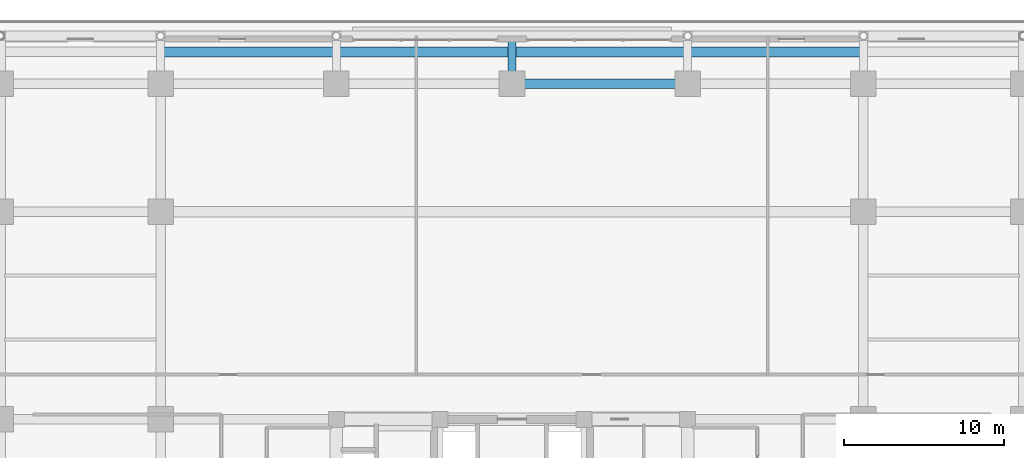
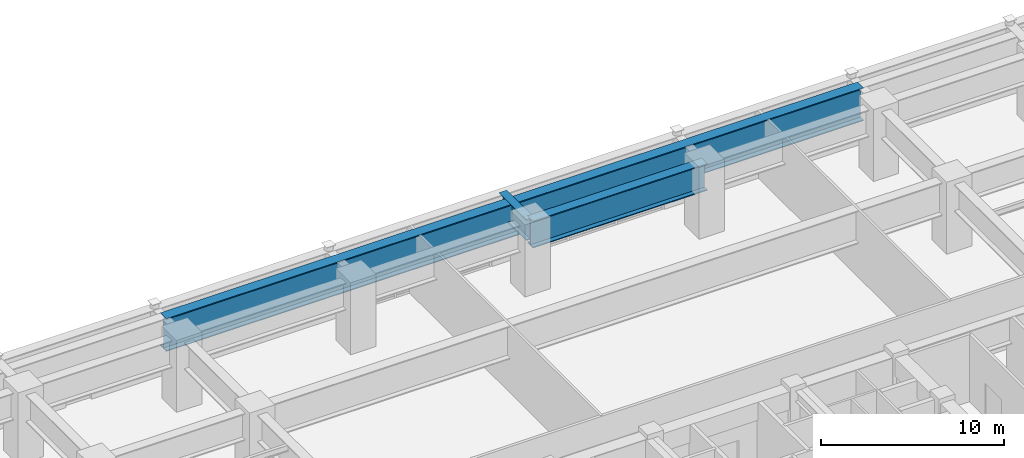
# One storey, part 19 of 38: 3 beams.
"""IFC4 building model written with IfcOpenShell, lengths in metres."""

from ifc_helpers import new_model, si_unit, direction, frame, origin, origin_2d, place, context, subcontext, project, spatial, i_section, extrude, source, transform, mapped, material, material_profile, profile_set, type_object, element, save


model = new_model("IFC4")

# Units and contexts
model_context = context("Model", 3, precision=1e-05, world=origin(), true_north=direction((0.0, 1.0)))
body_context = subcontext(model_context, "Body", "Model", "MODEL_VIEW")
ifc_project = project(units=[si_unit("LENGTHUNIT", "METRE"), si_unit("AREAUNIT", "SQUARE_METRE"), si_unit("VOLUMEUNIT", "CUBIC_METRE"), si_unit("PLANEANGLEUNIT", "RADIAN"), si_unit("MASSUNIT", "GRAM", prefix="KILO")], contexts=[model_context])

# Site, building, storey
site_placement = place(None, origin())
site = spatial("IfcSite", under=ifc_project, at=site_placement, CompositionType="ELEMENT")
building_placement = place(site_placement, origin())
building = spatial("IfcBuilding", under=site, at=building_placement, Name="Khorayat Bourse Tower", CompositionType="ELEMENT")
storey_placement = place(building_placement, frame((0.0, 0.0, 17.39990234375)))
storey = spatial("IfcBuildingStorey", under=building, at=storey_placement, Name="L03", CompositionType="ELEMENT", Elevation=17.39990234375)

# Beams
ifc_material = material(Name="Steel EN 10025-4 S460M", Category="steel")
ifc_material_profile_1 = material_profile(ifc_material, i_section(OverallWidth=0.60009765625, OverallDepth=1.800048828125, WebThickness=0.031982421875, FlangeThickness=0.06005859375, at=origin_2d()), Name="PG 1800x600x32x60")
ifc_profile_set_1 = profile_set([ifc_material_profile_1], Name="Steel EN 10025-4 S460M")
beam_type_1 = type_object("IfcBeamType", Name="BM-TR-1800", PredefinedType="BEAM", material=ifc_profile_set_1)
shared_shape_1 = source(origin(), body_context, "Body", "SweptSolid", [
    extrude(i_section(OverallWidth=0.60009765625, OverallDepth=1.800048828125, WebThickness=0.031982421875, FlangeThickness=0.06005859375, at=origin_2d()), origin(), (0.0, 0.0, 1.0), 11.0),
])
beam_1_placement = place(storey_placement, frame((0.0, 32.0, 3.580078125), z_axis=(1.0, 0.0, 0.0), x_axis=(0.0, 1.0, 0.0)))
element("IfcBeam", 1, at=beam_1_placement, inside=storey, type_object=beam_type_1, Name="L03 BM-TR-1800 BM-L03-PGX-082", PredefinedType="BEAM", context=body_context, shape_type="MappedRepresentation", body=[
    mapped(shared_shape_1, transform((0.0, 0.0, 0.0), scale=1.0)),
])
ifc_material_profile_2 = material_profile(ifc_material, i_section(OverallWidth=0.64990234375, OverallDepth=2.199951171875, WebThickness=0.035888671875, FlangeThickness=0.06494140625, at=origin_2d()), Name="PG 2200x650x36x65")
ifc_profile_set_2 = profile_set([ifc_material_profile_2], Name="Steel EN 10025-4 S460M")
beam_type_2 = type_object("IfcBeamType", Name="BM-TR-2200", PredefinedType="BEAM", material=ifc_profile_set_2)
shared_shape_2 = source(origin(), body_context, "Body", "SweptSolid", [
    extrude(i_section(OverallWidth=0.64990234375, OverallDepth=2.199951171875, WebThickness=0.035888671875, FlangeThickness=0.06494140625, at=origin_2d()), origin(), (0.0, 0.0, 1.0), 44.0),
])
beam_2_placement = place(storey_placement, frame((-22.0, 34.0, 3.380126953125), z_axis=(1.0, 0.0, 0.0), x_axis=(0.0, 1.0, 0.0)))
element("IfcBeam", 2, at=beam_2_placement, inside=storey, type_object=beam_type_2, Name="L03 BM-TR-2200 BM-L03-PGX-088", PredefinedType="BEAM", context=body_context, shape_type="MappedRepresentation", body=[
    mapped(shared_shape_2, transform((0.0, 0.0, 0.0), scale=1.0)),
])
ifc_material_profile_3 = material_profile(ifc_material, i_section(OverallWidth=0.5, OverallDepth=1.39990234375, WebThickness=0.02490234375, FlangeThickness=0.050048828125, at=origin_2d()), Name="PG 1400x500x25x50")
ifc_profile_set_3 = profile_set([ifc_material_profile_3], Name="Steel EN 10025-4 S460M")
beam_type_3 = type_object("IfcBeamType", Name="BM-TR-1400", PredefinedType="BEAM", material=ifc_profile_set_3)
shared_shape_3 = source(origin(), body_context, "Body", "SweptSolid", [
    extrude(i_section(OverallWidth=0.5, OverallDepth=1.39990234375, WebThickness=0.02490234375, FlangeThickness=0.050048828125, at=origin_2d()), origin(), (0.0, 0.0, 1.0), 3.0),
])
beam_3_placement = place(storey_placement, frame((0.0, 32.0, 3.780029296875), z_axis=(0.0, 1.0, 0.0), x_axis=(-1.0, 0.0, 0.0)))
element("IfcBeam", 3, at=beam_3_placement, inside=storey, type_object=beam_type_3, Name="L03 BM-TR-1400 BM-L03-PGY-132", PredefinedType="BEAM", context=body_context, shape_type="MappedRepresentation", body=[
    mapped(shared_shape_3, transform((0.0, 0.0, 0.0), scale=1.0)),
])

save(model, "model.ifc")
